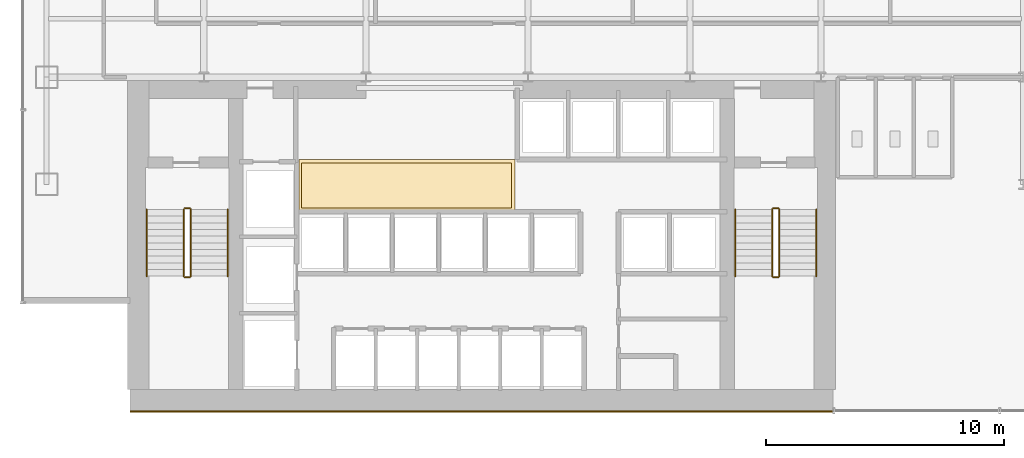
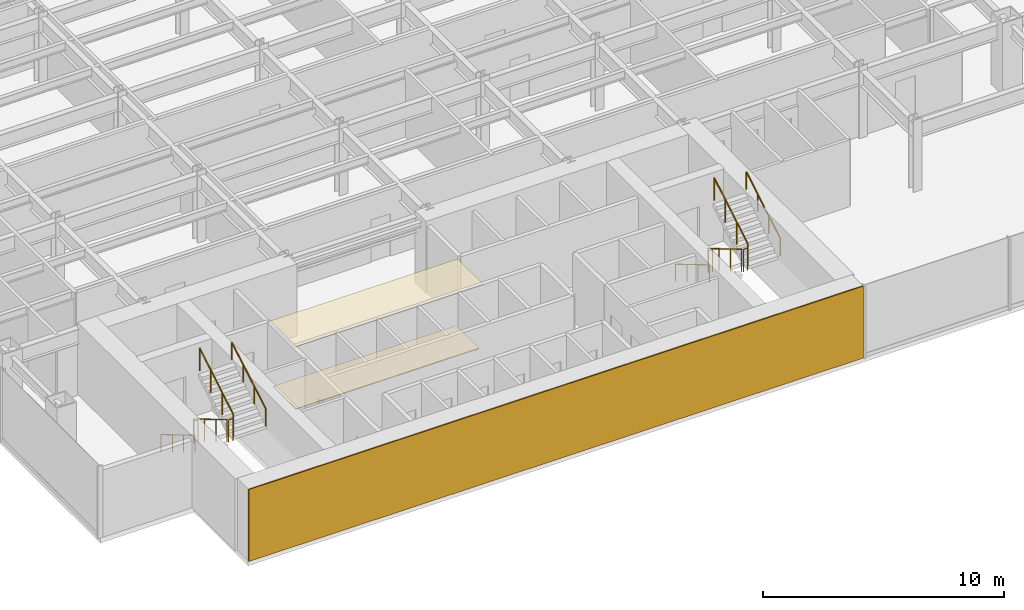
# One storey, part 20 of 22: 12 railings, 3 coverings.
"""IFC4 building model written with IfcOpenShell, lengths in metres."""

from ifc_helpers import new_model, si_unit, derived_unit, direction, frame, origin, origin_2d, place, context, subcontext, project, spatial, polyline, rectangle, circle, outline, extrude, source, transform, mapped, material, layer, layer_set, type_object, element, save


model = new_model("IFC4")

# Units and contexts
model_context = context("Model", 3, precision=1e-05, world=origin(), true_north=direction((0.0, 1.0)))
body_context = subcontext(model_context, "Body", "Model", "MODEL_VIEW")
ifc_project = project(units=[si_unit("LENGTHUNIT", "METRE"), si_unit("AREAUNIT", "SQUARE_METRE"), si_unit("VOLUMEUNIT", "CUBIC_METRE"), si_unit("PLANEANGLEUNIT", "RADIAN"), si_unit("MASSUNIT", "GRAM", prefix="KILO"), derived_unit("THERMALTRANSMITTANCEUNIT", [(si_unit("POWERUNIT", "WATT"), 1), (si_unit("LENGTHUNIT", "METRE"), -2), (si_unit("THERMODYNAMICTEMPERATUREUNIT", "KELVIN"), -1)])], contexts=[model_context])

# Site, building, storey
site_placement = place(None, origin())
site = spatial("IfcSite", under=ifc_project, at=site_placement, CompositionType="ELEMENT")
building_placement = place(site_placement, origin())
building = spatial("IfcBuilding", under=site, at=building_placement, Name="Skarnbrae Concourse Arena and Tower", CompositionType="ELEMENT")
storey_placement = place(building_placement, frame((0.0, 0.0, 32.5)))
storey = spatial("IfcBuildingStorey", under=building, at=storey_placement, Name="L06", CompositionType="ELEMENT", Elevation=32.5)

# Coverings
ifc_material_1 = material(Name="Mineral fibre acoustic ceiling tile", Category="other")
ifc_layer_1 = layer(ifc_material_1, 0.0400390625)
ifc_layer_set_1 = layer_set([ifc_layer_1], Name="Mineral fibre acoustic ceiling tile")
covering_type_1 = type_object("IfcCoveringType", Name="COV-CEIL-ACOUSTIC", PredefinedType="CEILING", material=ifc_layer_set_1)
covering_1_placement = place(storey_placement, frame((0.0, 0.0, 3.239990234375)))
element("IfcCovering", 1, at=covering_1_placement, inside=storey, type_object=covering_type_1, Name="L06 Lift lobby acoustic ceiling", PredefinedType="CEILING", context=body_context, shape_type="SweptSolid", body=[
    extrude(outline(polyline([(11.60009765625, 8.39990234375), (20.64990234375, 8.39990234375), (20.64990234375, 10.550048828125), (11.60009765625, 10.550048828125), (11.60009765625, 8.39990234375)])), origin(), (0.0, 0.0, 1.0), 0.0400390625),
])
ifc_material_2 = material(Name="Polished granite terrazzo flooring", Category="masonry")
ifc_layer_2 = layer(ifc_material_2, 0.0400390625)
ifc_layer_set_2 = layer_set([ifc_layer_2], Name="Polished granite terrazzo flooring")
covering_type_2 = type_object("IfcCoveringType", Name="COV-FLOOR-TERRAZZO", PredefinedType="FLOORING", material=ifc_layer_set_2)
covering_2_placement = place(storey_placement, origin())
element("IfcCovering", 2, at=covering_2_placement, inside=storey, type_object=covering_type_2, Name="L06 Lift lobby terrazzo flooring", PredefinedType="FLOORING", context=body_context, shape_type="SweptSolid", body=[
    extrude(outline(polyline([(11.699951171875, 8.5), (20.5, 8.5), (20.5, 10.39990234375), (11.699951171875, 10.39990234375), (11.699951171875, 8.5)])), origin(), (0.0, 0.0, 1.0), 0.0400390625),
])

# Railings
ifc_material_3 = material(Name="Steel CSA G40.21 350W", Category="steel")
railing_type_1 = type_object("IfcRailingType", Name="RAIL-HANDRAIL-900", PredefinedType="HANDRAIL", material=ifc_material_3)
railing_1_placement = place(storey_placement, frame((5.199951171875, 8.449951171875, 0.166015625)))
element("IfcRailing", 3, at=railing_1_placement, inside=storey, type_object=railing_type_1, Name="L06 ST-1 stair handrail 1", PredefinedType="HANDRAIL", context=body_context, shape_type="SweptSolid", body=[
    extrude(circle(Radius=0.02392578125, at=origin_2d()), frame((0.0, 0.0, 0.8759765625), z_axis=(0.0, -0.860339051648, 0.50972219513), x_axis=(1.0, 0.0, 0.0)), (0.0, 0.0, 1.0), 3.254638671875),
    extrude(circle(Radius=0.02099609375, at=origin_2d()), origin(), (0.0, 0.0, 1.0), 0.851806640625),
    extrude(circle(Radius=0.02099609375, at=origin_2d()), frame((0.0, -0.933349609375, 0.552978515625)), (0.0, 0.0, 1.0), 0.851806640625),
    extrude(circle(Radius=0.02099609375, at=origin_2d()), frame((0.0, -1.86669921875, 1.10595703125)), (0.0, 0.0, 1.0), 0.851806640625),
    extrude(circle(Radius=0.02099609375, at=origin_2d()), frame((0.0, -2.800048828125, 1.658935546875)), (0.0, 0.0, 1.0), 0.851806640625),
])
railing_2_placement = place(storey_placement, frame((8.60009765625, 5.64990234375, 1.990966796875)))
element("IfcRailing", 4, at=railing_2_placement, inside=storey, type_object=railing_type_1, Name="L06 ST-1 stair handrail 2", PredefinedType="HANDRAIL", context=body_context, shape_type="SweptSolid", body=[
    extrude(circle(Radius=0.02392578125, at=origin_2d()), frame((0.0, 0.0, 0.8759765625), z_axis=(0.0, 0.860339051648, 0.50972219513), x_axis=(-1.0, 0.0, 0.0)), (0.0, 0.0, 1.0), 3.254638671875),
    extrude(circle(Radius=0.02099609375, at=origin_2d()), origin(), (0.0, 0.0, 1.0), 0.851806640625),
    extrude(circle(Radius=0.02099609375, at=origin_2d()), frame((0.0, 0.933349609375, 0.552978515625)), (0.0, 0.0, 1.0), 0.851806640625),
    extrude(circle(Radius=0.02099609375, at=origin_2d()), frame((0.0, 1.86669921875, 1.10595703125)), (0.0, 0.0, 1.0), 0.851806640625),
    extrude(circle(Radius=0.02099609375, at=origin_2d()), frame((0.0, 2.800048828125, 1.658935546875)), (0.0, 0.0, 1.0), 0.851806640625),
])
railing_3_placement = place(storey_placement, frame((29.89990234375, 8.449951171875, 0.166015625)))
element("IfcRailing", 5, at=railing_3_placement, inside=storey, type_object=railing_type_1, Name="L06 ST-2 stair handrail 1", PredefinedType="HANDRAIL", context=body_context, shape_type="SweptSolid", body=[
    extrude(circle(Radius=0.02392578125, at=origin_2d()), frame((0.0, 0.0, 0.8759765625), z_axis=(0.0, -0.860339051648, 0.50972219513), x_axis=(1.0, 0.0, 0.0)), (0.0, 0.0, 1.0), 3.254638671875),
    extrude(circle(Radius=0.02099609375, at=origin_2d()), origin(), (0.0, 0.0, 1.0), 0.851806640625),
    extrude(circle(Radius=0.02099609375, at=origin_2d()), frame((0.0, -0.933349609375, 0.552978515625)), (0.0, 0.0, 1.0), 0.851806640625),
    extrude(circle(Radius=0.02099609375, at=origin_2d()), frame((0.0, -1.86669921875, 1.10595703125)), (0.0, 0.0, 1.0), 0.851806640625),
    extrude(circle(Radius=0.02099609375, at=origin_2d()), frame((0.0, -2.800048828125, 1.658935546875)), (0.0, 0.0, 1.0), 0.851806640625),
])
railing_4_placement = place(storey_placement, frame((33.300048828125, 5.64990234375, 1.990966796875)))
element("IfcRailing", 6, at=railing_4_placement, inside=storey, type_object=railing_type_1, Name="L06 ST-2 stair handrail 2", PredefinedType="HANDRAIL", context=body_context, shape_type="SweptSolid", body=[
    extrude(circle(Radius=0.02392578125, at=origin_2d()), frame((0.0, 0.0, 0.8759765625), z_axis=(0.0, 0.860339051648, 0.50972219513), x_axis=(-1.0, 0.0, 0.0)), (0.0, 0.0, 1.0), 3.254638671875),
    extrude(circle(Radius=0.02099609375, at=origin_2d()), origin(), (0.0, 0.0, 1.0), 0.851806640625),
    extrude(circle(Radius=0.02099609375, at=origin_2d()), frame((0.0, 0.933349609375, 0.552978515625)), (0.0, 0.0, 1.0), 0.851806640625),
    extrude(circle(Radius=0.02099609375, at=origin_2d()), frame((0.0, 1.86669921875, 1.10595703125)), (0.0, 0.0, 1.0), 0.851806640625),
    extrude(circle(Radius=0.02099609375, at=origin_2d()), frame((0.0, 2.800048828125, 1.658935546875)), (0.0, 0.0, 1.0), 0.851806640625),
])
railing_type_2 = type_object("IfcRailingType", Name="RAIL-STAIR-GUARD-1150", PredefinedType="GUARDRAIL", material=ifc_material_3)
railing_5_placement = place(storey_placement, frame((6.75, 8.449951171875, 0.166015625)))
element("IfcRailing", 7, at=railing_5_placement, inside=storey, type_object=railing_type_2, Name="L06 ST-1 stair guard 1", PredefinedType="GUARDRAIL", context=body_context, shape_type="SweptSolid", body=[
    extrude(circle(Radius=0.02392578125, at=origin_2d()), frame((0.0, 0.0, 1.1259765625), z_axis=(0.0, -0.860339051648, 0.50972219513), x_axis=(1.0, 0.0, 0.0)), (0.0, 0.0, 1.0), 3.254638671875),
    extrude(circle(Radius=0.02099609375, at=origin_2d()), origin(), (0.0, 0.0, 1.0), 1.101806640625),
    extrude(circle(Radius=0.02099609375, at=origin_2d()), frame((0.0, -0.933349609375, 0.552978515625)), (0.0, 0.0, 1.0), 1.101806640625),
    extrude(circle(Radius=0.02099609375, at=origin_2d()), frame((0.0, -1.86669921875, 1.10595703125)), (0.0, 0.0, 1.0), 1.101806640625),
    extrude(circle(Radius=0.02099609375, at=origin_2d()), frame((0.0, -2.800048828125, 1.658935546875)), (0.0, 0.0, 1.0), 1.101806640625),
])
railing_6_placement = place(storey_placement, frame((6.800048828125, 5.60009765625, 1.824951171875)))
element("IfcRailing", 8, at=railing_6_placement, inside=storey, type_object=railing_type_2, Name="L06 ST-1 stair guard 2", PredefinedType="GUARDRAIL", context=body_context, shape_type="SweptSolid", body=[
    extrude(circle(Radius=0.02392578125, at=origin_2d()), frame((0.0, 0.0, 1.1259765625), z_axis=(1.0, 0.0, 0.0), x_axis=(0.0, 1.0, 0.0)), (0.0, 0.0, 1.0), 0.199951171875),
    extrude(circle(Radius=0.02099609375, at=origin_2d()), origin(), (0.0, 0.0, 1.0), 1.101806640625),
    extrude(circle(Radius=0.02099609375, at=origin_2d()), frame((0.199951171875, 0.0, 0.0)), (0.0, 0.0, 1.0), 1.101806640625),
])
railing_7_placement = place(storey_placement, frame((7.050048828125, 5.64990234375, 1.990966796875)))
element("IfcRailing", 9, at=railing_7_placement, inside=storey, type_object=railing_type_2, Name="L06 ST-1 stair guard 3", PredefinedType="GUARDRAIL", context=body_context, shape_type="SweptSolid", body=[
    extrude(circle(Radius=0.02392578125, at=origin_2d()), frame((0.0, 0.0, 1.1259765625), z_axis=(0.0, 0.860339051648, 0.50972219513), x_axis=(-1.0, 0.0, 0.0)), (0.0, 0.0, 1.0), 3.254638671875),
    extrude(circle(Radius=0.02099609375, at=origin_2d()), origin(), (0.0, 0.0, 1.0), 1.101806640625),
    extrude(circle(Radius=0.02099609375, at=origin_2d()), frame((0.0, 0.933349609375, 0.552978515625)), (0.0, 0.0, 1.0), 1.101806640625),
    extrude(circle(Radius=0.02099609375, at=origin_2d()), frame((0.0, 1.86669921875, 1.10595703125)), (0.0, 0.0, 1.0), 1.101806640625),
    extrude(circle(Radius=0.02099609375, at=origin_2d()), frame((0.0, 2.800048828125, 1.658935546875)), (0.0, 0.0, 1.0), 1.101806640625),
])
railing_8_placement = place(storey_placement, frame((6.800048828125, 8.5, 0.0)))
element("IfcRailing", 10, at=railing_8_placement, inside=storey, type_object=railing_type_2, Name="L06 ST-1 stair guard 4", PredefinedType="GUARDRAIL", context=body_context, shape_type="SweptSolid", body=[
    extrude(circle(Radius=0.02392578125, at=origin_2d()), frame((0.0, 0.0, 1.1259765625), z_axis=(1.0, 0.0, 0.0), x_axis=(0.0, 1.0, 0.0)), (0.0, 0.0, 1.0), 0.199951171875),
    extrude(circle(Radius=0.02099609375, at=origin_2d()), origin(), (0.0, 0.0, 1.0), 1.101806640625),
    extrude(circle(Radius=0.02099609375, at=origin_2d()), frame((0.199951171875, 0.0, 0.0)), (0.0, 0.0, 1.0), 1.101806640625),
])
railing_9_placement = place(storey_placement, frame((31.449951171875, 8.449951171875, 0.166015625)))
element("IfcRailing", 11, at=railing_9_placement, inside=storey, type_object=railing_type_2, Name="L06 ST-2 stair guard 1", PredefinedType="GUARDRAIL", context=body_context, shape_type="SweptSolid", body=[
    extrude(circle(Radius=0.02392578125, at=origin_2d()), frame((0.0, 0.0, 1.1259765625), z_axis=(0.0, -0.860339051648, 0.50972219513), x_axis=(1.0, 0.0, 0.0)), (0.0, 0.0, 1.0), 3.254638671875),
    extrude(circle(Radius=0.02099609375, at=origin_2d()), origin(), (0.0, 0.0, 1.0), 1.101806640625),
    extrude(circle(Radius=0.02099609375, at=origin_2d()), frame((0.0, -0.933349609375, 0.552978515625)), (0.0, 0.0, 1.0), 1.101806640625),
    extrude(circle(Radius=0.02099609375, at=origin_2d()), frame((0.0, -1.86669921875, 1.10595703125)), (0.0, 0.0, 1.0), 1.101806640625),
    extrude(circle(Radius=0.02099609375, at=origin_2d()), frame((0.0, -2.800048828125, 1.658935546875)), (0.0, 0.0, 1.0), 1.101806640625),
])
railing_10_placement = place(storey_placement, frame((31.5, 5.60009765625, 1.824951171875)))
element("IfcRailing", 12, at=railing_10_placement, inside=storey, type_object=railing_type_2, Name="L06 ST-2 stair guard 2", PredefinedType="GUARDRAIL", context=body_context, shape_type="SweptSolid", body=[
    extrude(circle(Radius=0.02392578125, at=origin_2d()), frame((0.0, 0.0, 1.1259765625), z_axis=(1.0, 0.0, 0.0), x_axis=(0.0, 1.0, 0.0)), (0.0, 0.0, 1.0), 0.199951171875),
    extrude(circle(Radius=0.02099609375, at=origin_2d()), origin(), (0.0, 0.0, 1.0), 1.101806640625),
    extrude(circle(Radius=0.02099609375, at=origin_2d()), frame((0.199951171875, 0.0, 0.0)), (0.0, 0.0, 1.0), 1.101806640625),
])
railing_11_placement = place(storey_placement, frame((31.75, 5.64990234375, 1.990966796875)))
element("IfcRailing", 13, at=railing_11_placement, inside=storey, type_object=railing_type_2, Name="L06 ST-2 stair guard 3", PredefinedType="GUARDRAIL", context=body_context, shape_type="SweptSolid", body=[
    extrude(circle(Radius=0.02392578125, at=origin_2d()), frame((0.0, 0.0, 1.1259765625), z_axis=(0.0, 0.860339051648, 0.50972219513), x_axis=(-1.0, 0.0, 0.0)), (0.0, 0.0, 1.0), 3.254638671875),
    extrude(circle(Radius=0.02099609375, at=origin_2d()), origin(), (0.0, 0.0, 1.0), 1.101806640625),
    extrude(circle(Radius=0.02099609375, at=origin_2d()), frame((0.0, 0.933349609375, 0.552978515625)), (0.0, 0.0, 1.0), 1.101806640625),
    extrude(circle(Radius=0.02099609375, at=origin_2d()), frame((0.0, 1.86669921875, 1.10595703125)), (0.0, 0.0, 1.0), 1.101806640625),
    extrude(circle(Radius=0.02099609375, at=origin_2d()), frame((0.0, 2.800048828125, 1.658935546875)), (0.0, 0.0, 1.0), 1.101806640625),
])
railing_12_placement = place(storey_placement, frame((31.5, 8.5, 0.0)))
element("IfcRailing", 14, at=railing_12_placement, inside=storey, type_object=railing_type_2, Name="L06 ST-2 stair guard 4", PredefinedType="GUARDRAIL", context=body_context, shape_type="SweptSolid", body=[
    extrude(circle(Radius=0.02392578125, at=origin_2d()), frame((0.0, 0.0, 1.1259765625), z_axis=(1.0, 0.0, 0.0), x_axis=(0.0, 1.0, 0.0)), (0.0, 0.0, 1.0), 0.199951171875),
    extrude(circle(Radius=0.02099609375, at=origin_2d()), origin(), (0.0, 0.0, 1.0), 1.101806640625),
    extrude(circle(Radius=0.02099609375, at=origin_2d()), frame((0.199951171875, 0.0, 0.0)), (0.0, 0.0, 1.0), 1.101806640625),
])

# Covering
ifc_material_4 = material(Name="Bronze anodised aluminium 6063-T6", Category="aluminium")
ifc_layer_3 = layer(ifc_material_4, 0.06005859375)
ifc_layer_set_3 = layer_set([ifc_layer_3], Name="Bronze anodised aluminium 6063-T6")
covering_type_3 = type_object("IfcCoveringType", Name="COV-CLAD-BRONZE-60", PredefinedType="CLADDING", material=ifc_layer_set_3)
shared_shape = source(origin(), body_context, "Body", "SweptSolid", [
    extrude(rectangle(XDim=29.5, YDim=0.06005859375, at=origin_2d()), origin(), (0.0, 0.0, 1.0), 3.64990234375),
])
covering_3_placement = place(storey_placement, frame((19.25, -0.030029296875, 0.0), z_axis=(0.0, 0.0, 1.0), x_axis=(1.0, 0.0, 0.0)))
element("IfcCovering", 15, at=covering_3_placement, inside=storey, type_object=covering_type_3, Name="L06 Rear-core plumb spine bronze rainscreen panel", PredefinedType="CLADDING", context=body_context, shape_type="MappedRepresentation", body=[
    mapped(shared_shape, transform((0.0, 0.0, 0.0))),
])

save(model, "model.ifc")
